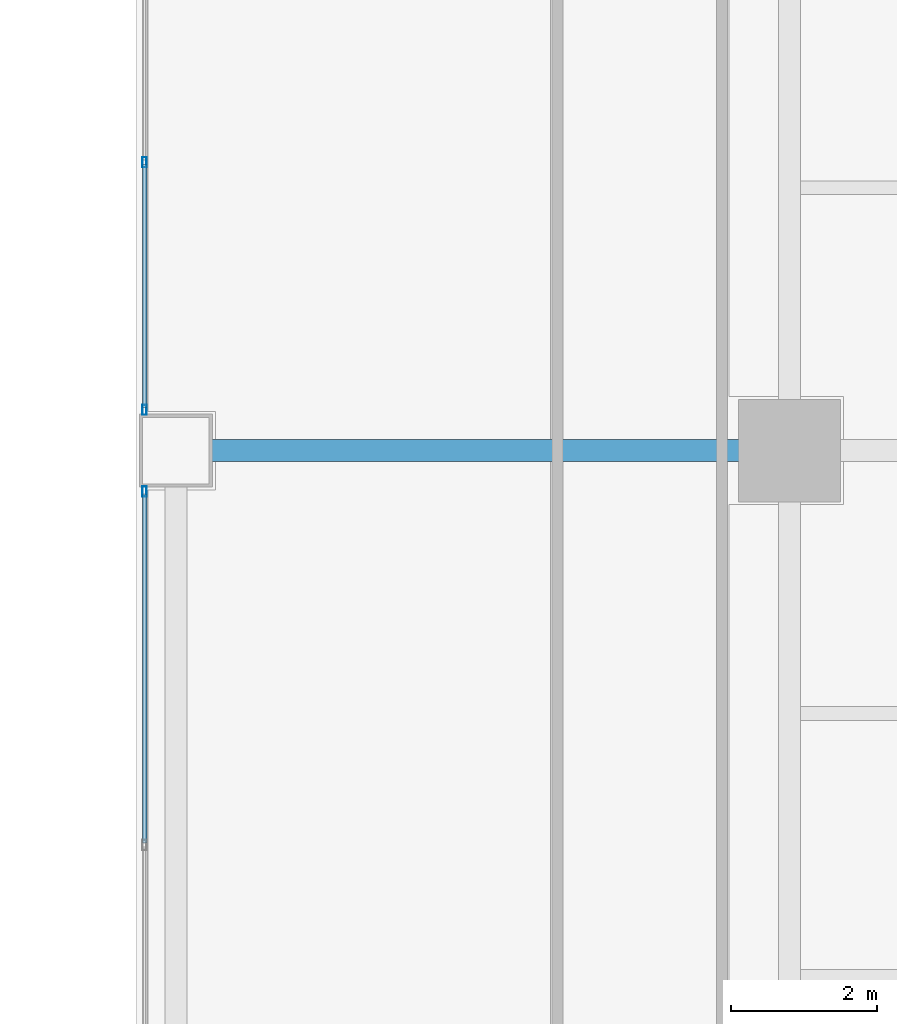
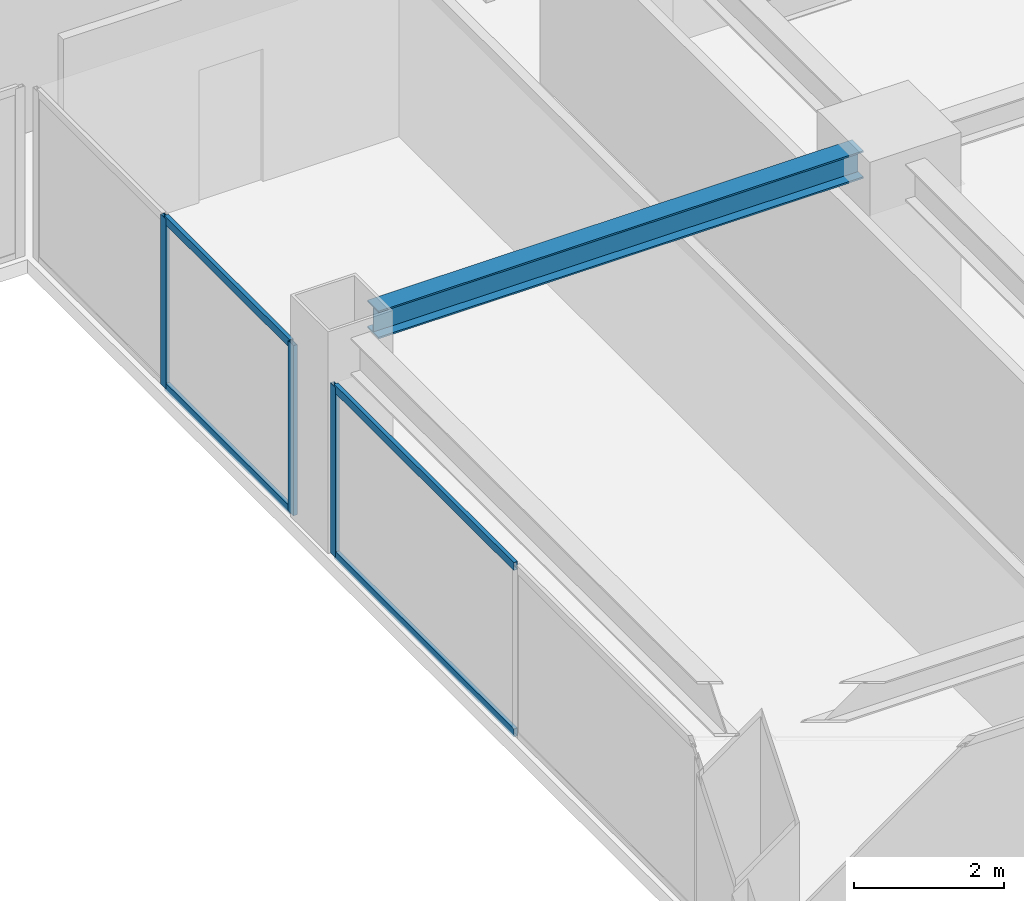
# One storey, part 14 of 29: 7 members, 1 beam, 2 elements without a shape of their own.
"""IFC4 building model written with IfcOpenShell, lengths in metres."""

import ifcopenshell
import ifcopenshell.guid

model = None  # the IFC model being written
_history = None  # IfcOwnerHistory: only IFC2X3 demands one
_inside = {}  # id of a spatial element -> (the spatial element, [elements in it])
_under = {}  # id of a project, library or spatial element -> (it, [spatial elements below it])
_declared = {}  # id of a project -> (the project, [libraries it declares])
_typed = {}  # id of a type object -> (the type object, [elements of that type])
_made_of = {}  # id of a material, layer set ... -> (it, [elements and type objects made of it])


def new_model(schema):
    """Start an empty IFC model of exactly this schema.

    Asked for "IFC4X3", IfcOpenShell would pick the latest addendum, in which some entities
    have other attributes; the version numbers below select the first issue.
    IFC2X3 requires an IfcOwnerHistory on every rooted entity: one is made here for all.
    """
    global model, _history
    if schema == "IFC4X3":
        model = ifcopenshell.file(schema_version=(4, 3, 0, 0))
    else:
        model = ifcopenshell.file(schema=schema)
    _inside.clear()
    _under.clear()
    _declared.clear()
    _typed.clear()
    _made_of.clear()
    _history = None
    if model.schema == "IFC2X3":
        org = make("IfcOrganization", Name="unknown")
        user = make(
            "IfcPersonAndOrganization",
            ThePerson=make("IfcPerson", FamilyName="unknown"),
            TheOrganization=org,
        )
        app = make(
            "IfcApplication",
            ApplicationDeveloper=org,
            Version="unknown",
            ApplicationFullName="unknown",
            ApplicationIdentifier="unknown",
        )
        _history = make(
            "IfcOwnerHistory",
            OwningUser=user,
            OwningApplication=app,
            ChangeAction="ADDED",
            CreationDate=0,
        )
    return model


def make(cls, **values):
    """One entity of the class cls with the attributes given. An attribute that is None is left unset."""
    return model.create_entity(
        cls, **{name: value for name, value in values.items() if value is not None}
    )


def rooted(cls, **values):
    """An entity with a GlobalId (a new one), such as an element, a storey or a relation."""
    return make(cls, GlobalId=ifcopenshell.guid.new(), OwnerHistory=_history, **values)


def si_unit(unit_type, name, prefix=None):
    """IfcSIUnit, for example si_unit("LENGTHUNIT", "METRE", prefix="MILLI")."""
    return make("IfcSIUnit", UnitType=unit_type, Prefix=prefix, Name=name)


def assignment(units):
    """IfcUnitAssignment: the units of a project."""
    return None if units is None else make("IfcUnitAssignment", Units=units)


def point(xyz):
    """IfcCartesianPoint."""
    return None if xyz is None else make("IfcCartesianPoint", Coordinates=xyz)


def direction(xyz):
    """IfcDirection."""
    return None if xyz is None else make("IfcDirection", DirectionRatios=xyz)


def frame(location, z_axis=None, x_axis=None):
    """IfcAxis2Placement3D, a coordinate frame: its origin and axes. An axis left out is left unset."""
    return make(
        "IfcAxis2Placement3D",
        Location=point(location),
        Axis=direction(z_axis),
        RefDirection=direction(x_axis),
    )


def frame_2d(location, x_axis=None):
    """IfcAxis2Placement2D, a coordinate frame in the plane: its origin and x axis."""
    return make(
        "IfcAxis2Placement2D", Location=point(location), RefDirection=direction(x_axis)
    )


def origin():
    """The frame at (0, 0, 0) with its axes left unset."""
    return frame((0.0, 0.0, 0.0))


def origin_2d():
    """The frame at (0, 0) in the plane with its x axis left unset."""
    return frame_2d((0.0, 0.0))


def place(relative_to, where):
    """IfcLocalPlacement: puts the frame where relative to a parent placement (None: the world)."""
    return make(
        "IfcLocalPlacement", PlacementRelTo=relative_to, RelativePlacement=where
    )


def context(
    kind, dimensions, precision=None, world=None, true_north=None, identifier=None
):
    """IfcGeometricRepresentationContext, for example the 3D "Model" context."""
    return make(
        "IfcGeometricRepresentationContext",
        ContextIdentifier=identifier,
        ContextType=kind,
        CoordinateSpaceDimension=dimensions,
        Precision=precision,
        WorldCoordinateSystem=world,
        TrueNorth=true_north,
    )


def subcontext(parent, identifier, kind, view, scale=None):
    """IfcGeometricRepresentationSubContext, for example "Body" below "Model"."""
    return make(
        "IfcGeometricRepresentationSubContext",
        ContextIdentifier=identifier,
        ContextType=kind,
        ParentContext=parent,
        TargetScale=scale,
        TargetView=view,
    )


def project(units=None, contexts=None):
    """IfcProject with its units and contexts."""
    return rooted(
        "IfcProject",
        Name="project",
        RepresentationContexts=contexts,
        UnitsInContext=assignment(units),
    )


def spatial(cls, under=None, at=None, **own):
    """A site, building, storey or space (cls), placed at a placement, below another one or the project."""
    s = rooted(cls, ObjectPlacement=at, **own)
    if under is not None:
        _under.setdefault(under.id(), (under, []))[1].append(s)
    return s


def profile(cls, at=None, kind="AREA", **sizes):
    """A parametric profile (cls). Its sizes go by their IFC names, for example OverallWidth=200.0."""
    return make(cls, ProfileType=kind, Position=at, **sizes)


def hollow_rectangle(**sizes):
    """IfcRectangleHollowProfileDef."""
    return profile("IfcRectangleHollowProfileDef", **sizes)


def i_section(**sizes):
    """IfcIShapeProfileDef."""
    return profile("IfcIShapeProfileDef", **sizes)


def extrude(swept, where, along, depth):
    """IfcExtrudedAreaSolid: the profile swept, set in the frame where, extruded along a direction by depth."""
    return make(
        "IfcExtrudedAreaSolid",
        SweptArea=swept,
        Position=where,
        ExtrudedDirection=direction(along),
        Depth=depth,
    )


def shape(context_of_items, identifier, shape_type, items):
    """IfcShapeRepresentation: the items that make up one representation, for example the "Body"."""
    return make(
        "IfcShapeRepresentation",
        ContextOfItems=context_of_items,
        RepresentationIdentifier=identifier,
        RepresentationType=shape_type,
        Items=items,
    )


def source(mapping_origin, context_of_items, identifier, shape_type, items):
    """IfcRepresentationMap: a shape defined once, which mapped items show again and again."""
    return make(
        "IfcRepresentationMap",
        MappingOrigin=mapping_origin,
        MappedRepresentation=shape(context_of_items, identifier, shape_type, items),
    )


def transform(
    local_origin,
    x_axis=None,
    y_axis=None,
    z_axis=None,
    scale=None,
    scale2=None,
    scale3=None,
    uniform=True,
):
    """IfcCartesianTransformationOperator3D, or its non-uniform kind. x_axis, y_axis, z_axis: its Axis1, 2, 3."""
    if uniform:
        return make(
            "IfcCartesianTransformationOperator3D",
            Axis1=direction(x_axis),
            Axis2=direction(y_axis),
            LocalOrigin=point(local_origin),
            Scale=scale,
            Axis3=direction(z_axis),
        )
    return make(
        "IfcCartesianTransformationOperator3DnonUniform",
        Axis1=direction(x_axis),
        Axis2=direction(y_axis),
        LocalOrigin=point(local_origin),
        Scale=scale,
        Axis3=direction(z_axis),
        Scale2=scale2,
        Scale3=scale3,
    )


def mapped(mapping_source, mapping_target):
    """IfcMappedItem: shows the shape of a source again, moved by a transform."""
    return make(
        "IfcMappedItem", MappingSource=mapping_source, MappingTarget=mapping_target
    )


def material(Name=None, Category=None):
    """IfcMaterial."""
    return make("IfcMaterial", Name=Name, Category=Category)


def layer(
    of_material, thickness, ventilated=None, Name=None, Category=None, Priority=None
):
    """IfcMaterialLayer: one layer of a wall or slab, of a material (None: an air gap)."""
    return make(
        "IfcMaterialLayer",
        Material=of_material,
        LayerThickness=thickness,
        IsVentilated=ventilated,
        Name=Name,
        Category=Category,
        Priority=Priority,
    )


def layer_set(layers, Name=None):
    """IfcMaterialLayerSet."""
    return make("IfcMaterialLayerSet", MaterialLayers=layers, LayerSetName=Name)


def material_profile(
    of_material, cross_section, Name=None, Category=None, Priority=None
):
    """IfcMaterialProfile: a cross section and its material."""
    return make(
        "IfcMaterialProfile",
        Name=Name,
        Material=of_material,
        Profile=cross_section,
        Priority=Priority,
        Category=Category,
    )


def profile_set(profiles, Name=None, composite=None):
    """IfcMaterialProfileSet."""
    return make(
        "IfcMaterialProfileSet",
        Name=Name,
        MaterialProfiles=profiles,
        CompositeProfile=composite,
    )


def made_of(thing, what):
    """Note that an element or type object is made of a material, layer set ...; save() writes the relation."""
    if what is not None:
        _made_of.setdefault(what.id(), (what, []))[1].append(thing)
    return thing


def type_object(cls, material=None, **own):
    """A type object (cls), such as IfcWallType, which elements share."""
    return made_of(rooted(cls, **own), material)


def element(
    cls,
    number,
    at=None,
    inside=None,
    cuts=None,
    type_object=None,
    material=None,
    context=None,
    identifier="Body",
    shape_type=None,
    held_by="IfcProductDefinitionShape",
    body=None,
    shapes=None,
    **own,
):
    """One element of the class cls, such as IfcWall. Its Tag is "e" and its number.

    at: its placement. inside: the storey or other place that contains it. cuts: it is an
    opening in that element (IfcRelVoidsElement). A single representation is given by context,
    identifier, shape_type and body (its items); several are given by shapes. held_by: the class
    of the entity that holds the representations. save() writes the other relations.
    """
    e = rooted(cls, Tag="e%d" % number, ObjectPlacement=at, **own)
    if body is not None:
        shapes = [shape(context, identifier, shape_type, body)]
    if shapes is not None:
        e.Representation = make(held_by, Representations=shapes)
    if inside is not None:
        _inside.setdefault(inside.id(), (inside, []))[1].append(e)
    if cuts is not None:
        rooted(
            "IfcRelVoidsElement", RelatingBuildingElement=cuts, RelatedOpeningElement=e
        )
    if type_object is not None:
        _typed.setdefault(type_object.id(), (type_object, []))[1].append(e)
    return made_of(e, material)


def aggregate(whole, parts):
    """IfcRelAggregates: a whole, such as a stair, and the parts it consists of."""
    return rooted("IfcRelAggregates", RelatingObject=whole, RelatedObjects=parts)


def save(model, path):
    """Write the relations noted so far, then the file.

    IfcRelAggregates (storeys below a building ...), IfcRelContainedInSpatialStructure (elements
    in a storey), IfcRelDefinesByType, IfcRelAssociatesMaterial and IfcRelDeclares: one each for
    every whole, place, type object, material and project.
    """
    for whole, parts in _under.values():
        aggregate(whole, parts)
    for where, things in _inside.values():
        rooted(
            "IfcRelContainedInSpatialStructure",
            RelatedElements=things,
            RelatingStructure=where,
        )
    for kind, things in _typed.values():
        rooted("IfcRelDefinesByType", RelatedObjects=things, RelatingType=kind)
    for what, things in _made_of.values():
        rooted("IfcRelAssociatesMaterial", RelatedObjects=things, RelatingMaterial=what)
    for by, libraries in _declared.values():
        rooted("IfcRelDeclares", RelatingContext=by, RelatedDefinitions=libraries)
    model.write(path)


model = new_model("IFC4")

# Units and contexts
model_context = context("Model", 3, precision=1e-05, world=origin(), true_north=direction((0.0, 1.0)))
body_context = subcontext(model_context, "Body", "Model", "MODEL_VIEW")
ifc_project = project(units=[si_unit("LENGTHUNIT", "METRE"), si_unit("AREAUNIT", "SQUARE_METRE"), si_unit("VOLUMEUNIT", "CUBIC_METRE"), si_unit("PLANEANGLEUNIT", "RADIAN"), si_unit("MASSUNIT", "GRAM", prefix="KILO")], contexts=[model_context])

# Site, building, storey
site_placement = place(None, origin())
site = spatial("IfcSite", under=ifc_project, at=site_placement, CompositionType="ELEMENT")
building_placement = place(site_placement, origin())
building = spatial("IfcBuilding", under=site, at=building_placement, Name="Sumidabori Civic Tower", CompositionType="ELEMENT")
storey_placement = place(building_placement, frame((0.0, 0.0, 207.199951171875)))
storey = spatial("IfcBuildingStorey", under=building, at=storey_placement, Name="L53", CompositionType="ELEMENT", Elevation=207.199951171875)

# Beam
ifc_material_1 = material(Name="Steel SN490", Category="steel")
ifc_material_profile_1 = material_profile(ifc_material_1, i_section(OverallWidth=0.300048828125, OverallDepth=0.449951171875, WebThickness=0.013916015625, FlangeThickness=0.02587890625, at=origin_2d()), Name="HE 450 B")
ifc_profile_set_1 = profile_set([ifc_material_profile_1], Name="Steel SN490")
beam_type = type_object("IfcBeamType", Name="BM-GIRD-450", PredefinedType="BEAM", material=ifc_profile_set_1)
shared_shape_1 = source(origin(), body_context, "Body", "SweptSolid", [
    extrude(i_section(OverallWidth=0.300048828125, OverallDepth=0.449951171875, WebThickness=0.013916015625, FlangeThickness=0.02587890625, at=origin_2d()), origin(), (0.0, 0.0, 1.0), 7.440185546875),
])
beam_placement = place(storey_placement, frame((8.8798828125, 0.0, 3.155029296875), z_axis=(1.0, 0.0, 0.0), x_axis=(0.0, 1.0, 0.0)))
element("IfcBeam", 1, at=beam_placement, inside=storey, type_object=beam_type, Name="Primary Girder L53 GX-07", PredefinedType="BEAM", context=body_context, shape_type="MappedRepresentation", body=[
    mapped(shared_shape_1, transform((0.0, 0.0, 0.0), x_axis=(1.0, 0.0, 0.0), y_axis=(0.0, 1.0, 0.0), z_axis=(0.0, 0.0, 1.0), scale=1.0)),
])

# Curtain wall, members
ifc_material_2 = material(Name="Anodised Bronze Aluminium AW-6063-T6", Category="aluminium")
ifc_layer = layer(ifc_material_2, 0.179931640625, Name="Anodised Bronze Aluminium AW-6063-T6")
ifc_layer_set = layer_set([ifc_layer], Name="Anodised Bronze Aluminium AW-6063-T6")
curtain_wall_type = type_object("IfcCurtainWallType", Name="CW-SYS-4", PredefinedType="NOTDEFINED", material=ifc_layer_set)
curtain_wall_1_placement = place(storey_placement, origin())
curtain_wall_1 = element("IfcCurtainWall", 2, at=curtain_wall_1_placement, inside=storey, type_object=curtain_wall_type, Name="Curtain Wall CW:L53:R06", PredefinedType="NOTDEFINED")
ifc_material_profile_2 = material_profile(ifc_material_2, hollow_rectangle(XDim=0.06005859375, YDim=0.139892578125, WallThickness=0.0048828125, at=origin_2d()), Name="ALU MULLION 140x60")
ifc_profile_set_2 = profile_set([ifc_material_profile_2], Name="Anodised Bronze Aluminium AW-6063-T6")
member_type_1 = type_object("IfcMemberType", Name="CW-MUL-140", PredefinedType="MULLION", material=ifc_profile_set_2)
shared_shape_2 = source(origin(), body_context, "Body", "SweptSolid", [
    extrude(hollow_rectangle(XDim=0.06005859375, YDim=0.139892578125, WallThickness=0.0048828125, at=origin_2d()), origin(), (0.0, 0.0, 1.0), 2.760009765625),
])
member_1_placement = place(storey_placement, frame((7.969970703125, 3.949951171875, 0.0), z_axis=(0.0, 0.0, 1.0), x_axis=(1.0, 0.0, 0.0)))
member_1 = element("IfcMember", 3, at=member_1_placement, type_object=member_type_1, Name="CW-4 mullion 2", PredefinedType="MULLION", context=body_context, shape_type="MappedRepresentation", body=[
    mapped(shared_shape_2, transform((0.0, 0.0, 0.0), x_axis=(1.0, 0.0, 0.0), y_axis=(0.0, 1.0, 0.0), z_axis=(0.0, 0.0, 1.0), scale=1.0)),
])
member_2_placement = place(storey_placement, frame((7.969970703125, 0.56005859375, 0.0), z_axis=(0.0, 0.0, 1.0), x_axis=(1.0, 0.0, 0.0)))
member_2 = element("IfcMember", 4, at=member_2_placement, type_object=member_type_1, Name="CW-4 mullion 3", PredefinedType="MULLION", context=body_context, shape_type="MappedRepresentation", body=[
    mapped(shared_shape_2, transform((0.0, 0.0, 0.0), x_axis=(1.0, 0.0, 0.0), y_axis=(0.0, 1.0, 0.0), z_axis=(0.0, 0.0, 1.0), scale=1.0)),
])

curtain_wall_2_placement = place(storey_placement, origin())
curtain_wall_2 = element("IfcCurtainWall", 5, at=curtain_wall_2_placement, inside=storey, type_object=curtain_wall_type, Name="Curtain Wall CW:L53:R07", PredefinedType="NOTDEFINED")
member_3_placement = place(storey_placement, frame((7.969970703125, -0.56005859375, 0.0), z_axis=(0.0, 0.0, 1.0), x_axis=(1.0, 0.0, 0.0)))
member_3 = element("IfcMember", 6, at=member_3_placement, type_object=member_type_1, Name="CW-4 mullion 1", PredefinedType="MULLION", context=body_context, shape_type="MappedRepresentation", body=[
    mapped(shared_shape_2, transform((0.0, 0.0, 0.0), x_axis=(1.0, 0.0, 0.0), y_axis=(0.0, 1.0, 0.0), z_axis=(0.0, 0.0, 1.0), scale=1.0)),
])
ifc_material_profile_3 = material_profile(ifc_material_2, hollow_rectangle(XDim=0.06005859375, YDim=0.1298828125, WallThickness=0.0048828125, at=origin_2d()), Name="ALU TRANSOM 130x60")
ifc_profile_set_3 = profile_set([ifc_material_profile_3], Name="Anodised Bronze Aluminium AW-6063-T6")
member_type_2 = type_object("IfcMemberType", Name="CW-TRN-130", PredefinedType="USERDEFINED", material=ifc_profile_set_3)
shared_shape_3 = source(origin(), body_context, "Body", "SweptSolid", [
    extrude(hollow_rectangle(XDim=0.06005859375, YDim=0.1298828125, WallThickness=0.0048828125, at=origin_2d()), origin(), (0.0, 0.0, 1.0), 4.780029296875),
])
member_4_placement = place(storey_placement, frame((7.969970703125, -0.590087890625, 0.030029296875), z_axis=(0.0, -1.0, 0.0), x_axis=(1.0, 0.0, 0.0)))
member_4 = element("IfcMember", 7, at=member_4_placement, type_object=member_type_2, Name="CW-4 transom 1.1", ObjectType="TRANSOM", PredefinedType="USERDEFINED", context=body_context, shape_type="MappedRepresentation", body=[
    mapped(shared_shape_3, transform((0.0, 0.0, 0.0), x_axis=(1.0, 0.0, 0.0), y_axis=(0.0, 1.0, 0.0), z_axis=(0.0, 0.0, 1.0), scale=1.0)),
])
member_5_placement = place(storey_placement, frame((7.969970703125, -0.590087890625, 2.72998046875), z_axis=(0.0, -1.0, 0.0), x_axis=(1.0, 0.0, 0.0)))
member_5 = element("IfcMember", 8, at=member_5_placement, type_object=member_type_2, Name="CW-4 transom 1.2", ObjectType="TRANSOM", PredefinedType="USERDEFINED", context=body_context, shape_type="MappedRepresentation", body=[
    mapped(shared_shape_3, transform((0.0, 0.0, 0.0), x_axis=(1.0, 0.0, 0.0), y_axis=(0.0, 1.0, 0.0), z_axis=(0.0, 0.0, 1.0), scale=1.0)),
])
aggregate(curtain_wall_2, [member_3, member_4, member_5])

# Member
shared_shape_4 = source(origin(), body_context, "Body", "SweptSolid", [
    extrude(hollow_rectangle(XDim=0.06005859375, YDim=0.1298828125, WallThickness=0.0048828125, at=origin_2d()), origin(), (0.0, 0.0, 1.0), 3.329833984375),
])
member_6_placement = place(storey_placement, frame((7.969970703125, 3.919921875, 0.030029296875), z_axis=(0.0, -1.0, 0.0), x_axis=(1.0, 0.0, 0.0)))
member_6 = element("IfcMember", 9, at=member_6_placement, type_object=member_type_2, Name="CW-4 transom 2.1", ObjectType="TRANSOM", PredefinedType="USERDEFINED", context=body_context, shape_type="MappedRepresentation", body=[
    mapped(shared_shape_4, transform((0.0, 0.0, 0.0), x_axis=(1.0, 0.0, 0.0), y_axis=(0.0, 1.0, 0.0), z_axis=(0.0, 0.0, 1.0), scale=1.0)),
])

member_7_placement = place(storey_placement, frame((7.969970703125, 3.919921875, 2.72998046875), z_axis=(0.0, -1.0, 0.0), x_axis=(1.0, 0.0, 0.0)))
member_7 = element("IfcMember", 10, at=member_7_placement, type_object=member_type_2, Name="CW-4 transom 2.2", ObjectType="TRANSOM", PredefinedType="USERDEFINED", context=body_context, shape_type="MappedRepresentation", body=[
    mapped(shared_shape_4, transform((0.0, 0.0, 0.0), x_axis=(1.0, 0.0, 0.0), y_axis=(0.0, 1.0, 0.0), z_axis=(0.0, 0.0, 1.0), scale=1.0)),
])

aggregate(curtain_wall_1, [member_1, member_2, member_6, member_7])

save(model, "model.ifc")
